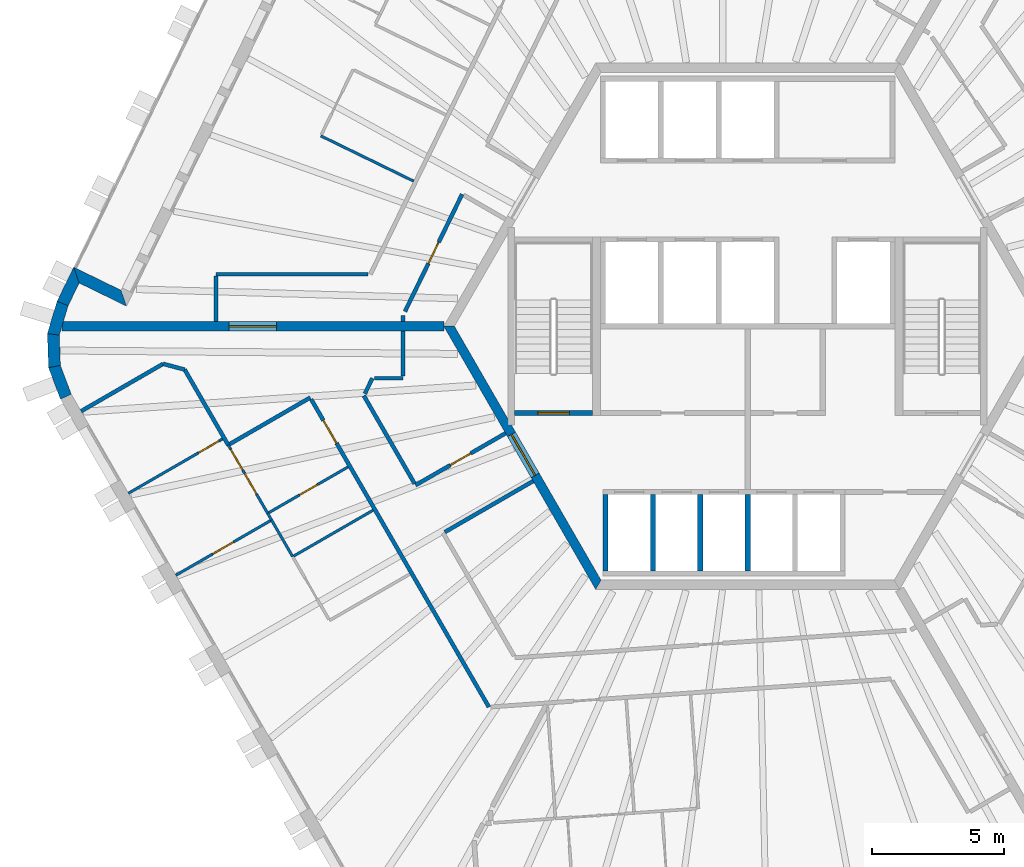
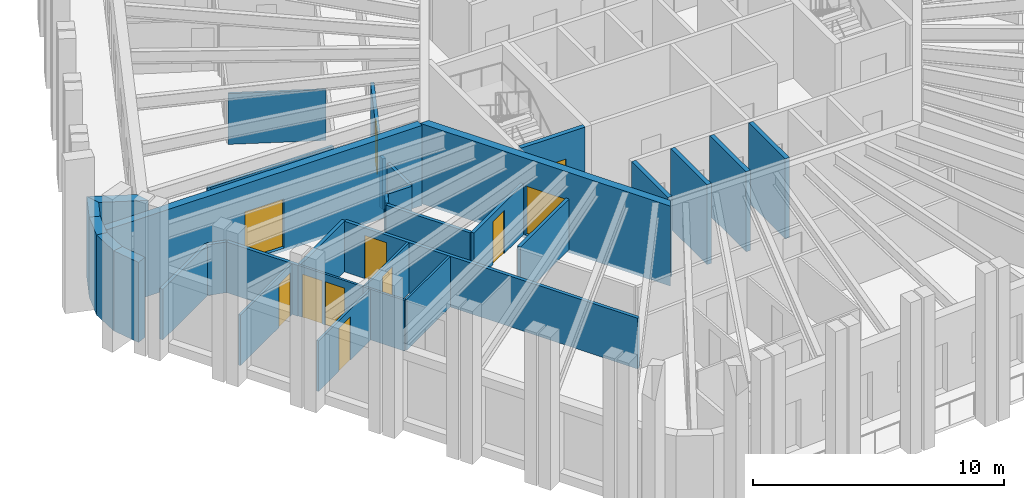
# One storey, part 4 of 12: 35 walls, 11 doors, 11 openings.
"""IFC4 building model written with IfcOpenShell, lengths in metres."""

from ifc_helpers import new_model, si_unit, direction, frame, frame_2d, origin, place, context, subcontext, project, spatial, polyline, rectangle, outline, extrude, material, layer, layer_set, type_object, element, fill, save


model = new_model("IFC4")

# Units and contexts
model_context = context("Model", 3, precision=1e-05, world=origin(), true_north=direction((0.0, 1.0)))
body_context = subcontext(model_context, "Body", "Model", "MODEL_VIEW")
ifc_project = project(units=[si_unit("LENGTHUNIT", "METRE"), si_unit("AREAUNIT", "SQUARE_METRE"), si_unit("VOLUMEUNIT", "CUBIC_METRE"), si_unit("PLANEANGLEUNIT", "RADIAN"), si_unit("MASSUNIT", "GRAM", prefix="KILO")], contexts=[model_context])

# Site, building, storey
site_placement = place(None, origin())
site = spatial("IfcSite", under=ifc_project, at=site_placement, CompositionType="ELEMENT")
building_placement = place(site_placement, origin())
building = spatial("IfcBuilding", under=site, at=building_placement, Name="Tarnside Tower", CompositionType="ELEMENT")
storey_placement = place(building_placement, frame((0.0, 0.0, 369.0)))
storey = spatial("IfcBuildingStorey", under=building, at=storey_placement, Name="L89", CompositionType="ELEMENT", Elevation=369.0)

# Wall
ifc_material_1 = material(Name="Gypsum board partition on steel studs", Category="steel")
ifc_layer_1 = layer(ifc_material_1, 0.10009765625)
ifc_layer_set_1 = layer_set([ifc_layer_1], Name="Bathroom wall 100")
wall_type_1 = type_object("IfcWallType", Name="Bathroom wall 100", PredefinedType="PARTITIONING", material=ifc_layer_set_1)
wall_1_placement = place(storey_placement, frame((-17.28857421875, -8.75537109375, 0.0), z_axis=(0.0, 0.0, 1.0), x_axis=(-0.499958946799, 0.866049104564, 0.0)))
element("IfcWall", 1, at=wall_1_placement, inside=storey, type_object=wall_type_1, Name="Bathroom wall 29107", PredefinedType="PARTITIONING", context=body_context, shape_type="SweptSolid", body=[
    extrude(rectangle(XDim=1.608642578125, YDim=0.10009765625, at=frame_2d((0.80419921875, 0.0))), origin(), (0.0, 0.0, 1.0), 2.469970703125),
])

# Wall, opening, door
wall_2_placement = place(storey_placement, frame((-18.238525390625, -7.10986328125, 0.0), z_axis=(0.0, 0.0, 1.0), x_axis=(0.866031034943, 0.499990246421, 0.0)))
wall_2 = element("IfcWall", 2, at=wall_2_placement, inside=storey, type_object=wall_type_1, Name="Bathroom wall 29116", PredefinedType="PARTITIONING", context=body_context, shape_type="SweptSolid", body=[
    extrude(rectangle(XDim=3.52490234375, YDim=0.10009765625, at=frame_2d((1.762451171875, 0.0))), origin(), (0.0, 0.0, 1.0), 2.469970703125),
])
opening_1_placement = place(wall_2_placement, frame((1.39990234375, 0.0, 0.0)))
opening_1 = element("IfcOpeningElement", 3, at=opening_1_placement, cuts=wall_2, Name="Opening D-B1", PredefinedType="OPENING", context=body_context, shape_type="SweptSolid", body=[
    extrude(rectangle(XDim=0.800048828125, YDim=2.10009765625, at=frame_2d((0.39990234375, 1.050048828125))), frame((0.0, 0.06005859375, 0.0), z_axis=(0.0, -1.0, 0.0), x_axis=(1.0, 0.0, 0.0)), (0.0, 0.0, 1.0), 0.1201171875),
])
ifc_material_2 = material(Name="Timber door leaf", Category="wood")
door_type_1 = type_object("IfcDoorType", Name="Bathroom door 800", OperationType="NOTDEFINED", PredefinedType="DOOR", material=ifc_material_2)
door_1_placement = place(opening_1_placement, origin())
door_1 = element("IfcDoor", 4, at=door_1_placement, inside=storey, type_object=door_type_1, Name="Bathroom door 29022", OperationType="SINGLE_SWING_LEFT", OverallHeight=2.10009765625, OverallWidth=0.800048828125, PredefinedType="DOOR", context=body_context, shape_type="SweptSolid", body=[
    extrude(rectangle(XDim=0.800048828125, YDim=2.10009765625, at=frame_2d((0.39990234375, 1.050048828125))), frame((0.0, 0.02490234375, 0.0), z_axis=(0.0, -1.0, 0.0), x_axis=(1.0, 0.0, 0.0)), (0.0, 0.0, 1.0), 0.050048828125),
])
fill(opening_1, door_1)

# Walls
wall_3_placement = place(storey_placement, frame((-18.239501953125, -7.108154296875, 0.0), z_axis=(0.0, 0.0, 1.0), x_axis=(0.499960902066, -0.86604797581, 0.0)))
element("IfcWall", 5, at=wall_3_placement, inside=storey, type_object=wall_type_1, Name="Bathroom wall 29118", PredefinedType="PARTITIONING", context=body_context, shape_type="SweptSolid", body=[
    extrude(rectangle(XDim=0.29541015625, YDim=0.10009765625, at=frame_2d((0.147705078125, 0.0))), origin(), (0.0, 0.0, 1.0), 2.469970703125),
])
wall_4_placement = place(storey_placement, frame((-17.245361328125, -8.730224609375, 0.0), z_axis=(0.0, 0.0, 1.0), x_axis=(0.866055725969, 0.499947476758, 0.0)))
element("IfcWall", 6, at=wall_4_placement, inside=storey, type_object=wall_type_1, Name="Bathroom wall 29119", PredefinedType="PARTITIONING", context=body_context, shape_type="SweptSolid", body=[
    extrude(rectangle(XDim=3.474853515625, YDim=0.10009765625, at=frame_2d((1.7373046875, 0.0))), origin(), (0.0, 0.0, 1.0), 2.469970703125),
])

# Wall, opening, door
ifc_material_3 = material(Name="Concrete C50/60", Category="concrete")
ifc_layer_2 = layer(ifc_material_3, 0.35009765625)
ifc_layer_set_2 = layer_set([ifc_layer_2], Name="Core wall Z4 350 C50/60")
wall_type_2 = type_object("IfcWallType", Name="Core wall Z4 350 C50/60", PredefinedType="SHEAR", material=ifc_layer_set_2)
wall_5_placement = place(storey_placement, frame((-11.344970703125, 0.0, -0.14990234375), z_axis=(0.0, 0.0, 1.0), x_axis=(0.499995046907, -0.866028263435, 0.0)))
wall_5 = element("IfcWall", 7, at=wall_5_placement, inside=storey, type_object=wall_type_2, Name="L89 core wall face 3", PredefinedType="SHEAR", context=body_context, shape_type="SweptSolid", body=[
    extrude(outline(polyline([(-0.10107421875, -0.175048828125), (11.44580078125, -0.175048828125), (11.24365234375, 0.175048828125), (0.10107421875, 0.175048828125), (-0.10107421875, -0.175048828125)])), origin(), (0.0, 0.0, 1.0), 3.89990234375),
])
opening_2_placement = place(wall_5_placement, frame((4.74365234375, 0.0, 0.14990234375)))
opening_2 = element("IfcOpeningElement", 8, at=opening_2_placement, cuts=wall_5, Name="Opening CD-FFL", PredefinedType="OPENING", context=body_context, shape_type="SweptSolid", body=[
    extrude(rectangle(XDim=1.800048828125, YDim=2.39990234375, at=frame_2d((0.89990234375, 1.199951171875))), frame((0.0, 0.18505859375, 0.0), z_axis=(0.0, -1.0, 0.0), x_axis=(1.0, 0.0, 0.0)), (0.0, 0.0, 1.0), 0.3701171875),
])
ifc_material_4 = material(Name="Steel fire door", Category="steel")
door_type_2 = type_object("IfcDoorType", Name="Firefighting lobby double door FD60S 1800x2400", OperationType="NOTDEFINED", PredefinedType="DOOR", material=ifc_material_4)
door_2_placement = place(opening_2_placement, origin())
door_2 = element("IfcDoor", 9, at=door_2_placement, inside=storey, type_object=door_type_2, Name="L89 core door P3", OperationType="DOUBLE_DOOR_SINGLE_SWING", OverallHeight=2.39990234375, OverallWidth=1.800048828125, PredefinedType="DOOR", context=body_context, shape_type="SweptSolid", body=[
    extrude(rectangle(XDim=1.800048828125, YDim=2.39990234375, at=frame_2d((0.89990234375, 1.199951171875))), frame((0.0, 0.02490234375, 0.0), z_axis=(0.0, -1.0, 0.0), x_axis=(1.0, 0.0, 0.0)), (0.0, 0.0, 1.0), 0.050048828125),
])
fill(opening_2, door_2)

wall_6_placement = place(storey_placement, frame((-11.547119140625, 0.0, -0.14990234375), z_axis=(0.0, 0.0, 1.0), x_axis=(-1.0, 0.0, 0.0)))
wall_6 = element("IfcWall", 10, at=wall_6_placement, inside=storey, type_object=wall_type_2, Name="L89 spine wall 2", PredefinedType="SHEAR", context=body_context, shape_type="SweptSolid", body=[
    extrude(rectangle(XDim=14.510498046875, YDim=0.35009765625, at=frame_2d((7.25537109375, 0.0))), origin(), (0.0, 0.0, 1.0), 3.89990234375),
])
opening_3_placement = place(wall_6_placement, frame((6.355224609375, 0.0, 0.14990234375)))
opening_3 = element("IfcOpeningElement", 11, at=opening_3_placement, cuts=wall_6, Name="Opening CD-SPN", PredefinedType="OPENING", context=body_context, shape_type="SweptSolid", body=[
    extrude(rectangle(XDim=1.800048828125, YDim=2.39990234375, at=frame_2d((0.89990234375, 1.199951171875))), frame((0.0, 0.18505859375, 0.0), z_axis=(0.0, -1.0, 0.0), x_axis=(1.0, 0.0, 0.0)), (0.0, 0.0, 1.0), 0.3701171875),
])
door_type_3 = type_object("IfcDoorType", Name="Spine passage double door FD60 1800x2400", OperationType="NOTDEFINED", PredefinedType="DOOR", material=ifc_material_4)
door_3_placement = place(opening_3_placement, origin())
door_3 = element("IfcDoor", 12, at=door_3_placement, inside=storey, type_object=door_type_3, Name="L89 spine passage door 2", OperationType="DOUBLE_DOOR_SINGLE_SWING", OverallHeight=2.39990234375, OverallWidth=1.800048828125, PredefinedType="DOOR", context=body_context, shape_type="SweptSolid", body=[
    extrude(rectangle(XDim=1.800048828125, YDim=2.39990234375, at=frame_2d((0.89990234375, 1.199951171875))), frame((0.0, 0.02490234375, 0.0), z_axis=(0.0, -1.0, 0.0), x_axis=(1.0, 0.0, 0.0)), (0.0, 0.0, 1.0), 0.050048828125),
])
fill(opening_3, door_3)

# Walls
ifc_layer_3 = layer(ifc_material_1, 0.14990234375)
ifc_layer_set_3 = layer_set([ifc_layer_3], Name="Corridor wall 150 EI 60")
wall_type_3 = type_object("IfcWallType", Name="Corridor wall 150 EI 60", PredefinedType="PARTITIONING", material=ifc_layer_set_3)
wall_7_placement = place(storey_placement, frame((-14.41845703125, 1.97509765625, 0.0), z_axis=(0.0, 0.0, 1.0), x_axis=(-1.0, 0.0, 0.0)))
element("IfcWall", 13, at=wall_7_placement, inside=storey, type_object=wall_type_3, Name="Corridor wall 29012", PredefinedType="PARTITIONING", context=body_context, shape_type="SweptSolid", body=[
    extrude(rectangle(XDim=5.783935546875, YDim=0.14990234375, at=frame_2d((2.89208984375, 0.0))), origin(), (0.0, 0.0, 1.0), 2.469970703125),
])
wall_8_placement = place(storey_placement, frame((-20.202392578125, 1.89990234375, 0.0), z_axis=(0.0, 0.0, 1.0), x_axis=(0.0, -1.0, 0.0)))
element("IfcWall", 14, at=wall_8_placement, inside=storey, type_object=wall_type_3, Name="Corridor wall 29013", PredefinedType="PARTITIONING", context=body_context, shape_type="SweptSolid", body=[
    extrude(rectangle(XDim=1.724853515625, YDim=0.14990234375, at=frame_2d((0.8623046875, 0.0))), origin(), (0.0, 0.0, 1.0), 2.469970703125),
])
wall_9_placement = place(storey_placement, frame((-13.095703125, 0.175048828125, 0.0), z_axis=(0.0, 0.0, 1.0), x_axis=(0.0, 1.0, 0.0)))
element("IfcWall", 15, at=wall_9_placement, inside=storey, type_object=wall_type_3, Name="Corridor wall 29024", PredefinedType="PARTITIONING", context=body_context, shape_type="SweptSolid", body=[
    extrude(rectangle(XDim=0.235107421875, YDim=0.14990234375, at=frame_2d((0.11767578125, 0.0))), origin(), (0.0, 0.0, 1.0), 2.469970703125),
])

# Wall, opening, door
wall_10_placement = place(storey_placement, frame((-13.0205078125, 0.563720703125, 0.0), z_axis=(0.0, 0.0, 1.0), x_axis=(0.438343062662, 0.8988077433, 0.0)))
wall_10 = element("IfcWall", 16, at=wall_10_placement, inside=storey, type_object=wall_type_3, Name="Corridor wall 29025", PredefinedType="PARTITIONING", context=body_context, shape_type="SweptSolid", body=[
    extrude(rectangle(XDim=4.955322265625, YDim=0.14990234375, at=frame_2d((2.4775390625, 0.0))), origin(), (0.0, 0.0, 1.0), 2.469970703125),
])
opening_4_placement = place(wall_10_placement, frame((2.027587890625, 0.0, 0.0)))
opening_4 = element("IfcOpeningElement", 17, at=opening_4_placement, cuts=wall_10, Name="Opening D-S1", PredefinedType="OPENING", context=body_context, shape_type="SweptSolid", body=[
    extrude(rectangle(XDim=0.89990234375, YDim=2.10009765625, at=frame_2d((0.449951171875, 1.050048828125))), frame((0.0, 0.0849609375, 0.0), z_axis=(0.0, -1.0, 0.0), x_axis=(1.0, 0.0, 0.0)), (0.0, 0.0, 1.0), 0.169921875),
])
door_type_4 = type_object("IfcDoorType", Name="Service room door 900 FD30S", OperationType="NOTDEFINED", PredefinedType="DOOR", material=ifc_material_2)
door_4_placement = place(opening_4_placement, origin())
door_4 = element("IfcDoor", 18, at=door_4_placement, inside=storey, type_object=door_type_4, Name="Service door 29058", OperationType="SINGLE_SWING_LEFT", OverallHeight=2.10009765625, OverallWidth=0.89990234375, PredefinedType="DOOR", context=body_context, shape_type="SweptSolid", body=[
    extrude(rectangle(XDim=0.89990234375, YDim=2.10009765625, at=frame_2d((0.449951171875, 1.050048828125))), frame((0.0, 0.02490234375, 0.0), z_axis=(0.0, -1.0, 0.0), x_axis=(1.0, 0.0, 0.0)), (0.0, 0.0, 1.0), 0.050048828125),
])
fill(opening_4, door_4)

wall_11_placement = place(storey_placement, frame((-16.58349609375, -2.776611328125, 0.0), z_axis=(0.0, 0.0, 1.0), x_axis=(0.50000467473, -0.866022704811, 0.0)))
wall_11 = element("IfcWall", 19, at=wall_11_placement, inside=storey, type_object=wall_type_3, Name="Corridor wall 29027", PredefinedType="PARTITIONING", context=body_context, shape_type="SweptSolid", body=[
    extrude(rectangle(XDim=13.503662109375, YDim=0.14990234375, at=frame_2d((6.751953125, 0.0))), origin(), (0.0, 0.0, 1.0), 2.469970703125),
])
opening_5_placement = place(wall_11_placement, frame((0.925048828125, 0.0, 0.0)))
opening_5 = element("IfcOpeningElement", 20, at=opening_5_placement, cuts=wall_11, Name="Opening D-E1", PredefinedType="OPENING", context=body_context, shape_type="SweptSolid", body=[
    extrude(rectangle(XDim=1.0, YDim=2.10009765625, at=frame_2d((0.5, 1.050048828125))), frame((0.0, 0.0849609375, 0.0), z_axis=(0.0, -1.0, 0.0), x_axis=(1.0, 0.0, 0.0)), (0.0, 0.0, 1.0), 0.169921875),
])
door_type_5 = type_object("IfcDoorType", Name="Unit entrance door 1000 FD30S", OperationType="NOTDEFINED", PredefinedType="DOOR", material=ifc_material_2)
door_5_placement = place(opening_5_placement, origin())
door_5 = element("IfcDoor", 21, at=door_5_placement, inside=storey, type_object=door_type_5, Name="Unit door 29021", OperationType="SINGLE_SWING_RIGHT", OverallHeight=2.10009765625, OverallWidth=1.0, PredefinedType="DOOR", context=body_context, shape_type="SweptSolid", body=[
    extrude(rectangle(XDim=1.0, YDim=2.10009765625, at=frame_2d((0.5, 1.050048828125))), frame((0.0, 0.02490234375, 0.0), z_axis=(0.0, -1.0, 0.0), x_axis=(1.0, 0.0, 0.0)), (0.0, 0.0, 1.0), 0.050048828125),
])
fill(opening_5, door_5)

# Walls
wall_12_placement = place(storey_placement, frame((-19.738525390625, -4.51171875, 0.0), z_axis=(0.0, 0.0, 1.0), x_axis=(0.866018442252, 0.500012057535, 0.0)))
element("IfcWall", 22, at=wall_12_placement, inside=storey, type_object=wall_type_3, Name="Corridor wall 29029", PredefinedType="PARTITIONING", context=body_context, shape_type="SweptSolid", body=[
    extrude(rectangle(XDim=3.60009765625, YDim=0.14990234375, at=frame_2d((1.800048828125, 0.0))), origin(), (0.0, 0.0, 1.0), 2.469970703125),
])
wall_13_placement = place(storey_placement, frame((-25.3291015625, -3.228759765625, 0.0), z_axis=(0.0, 0.0, 1.0), x_axis=(0.866030854095, 0.499990559667, 0.0)))
element("IfcWall", 23, at=wall_13_placement, inside=storey, type_object=wall_type_3, Name="Corridor wall 29032", PredefinedType="PARTITIONING", context=body_context, shape_type="SweptSolid", body=[
    extrude(rectangle(XDim=3.599609375, YDim=0.14990234375, at=frame_2d((1.7998046875, 0.0))), origin(), (0.0, 0.0, 1.0), 2.469970703125),
])
wall_14_placement = place(storey_placement, frame((-22.210693359375, -1.428955078125, 0.0), z_axis=(0.0, 0.0, 1.0), x_axis=(0.965937762102, -0.258774495933, 0.0)))
element("IfcWall", 24, at=wall_14_placement, inside=storey, type_object=wall_type_3, Name="Corridor wall 29033", PredefinedType="PARTITIONING", context=body_context, shape_type="SweptSolid", body=[
    extrude(rectangle(XDim=0.84716796875, YDim=0.14990234375, at=frame_2d((0.423583984375, 0.0))), origin(), (0.0, 0.0, 1.0), 2.469970703125),
])
wall_15_placement = place(storey_placement, frame((-21.391845703125, -1.6484375, 0.0), z_axis=(0.0, 0.0, 1.0), x_axis=(0.500018282537, -0.866014848099, 0.0)))
element("IfcWall", 25, at=wall_15_placement, inside=storey, type_object=wall_type_3, Name="Corridor wall 29034", PredefinedType="PARTITIONING", context=body_context, shape_type="SweptSolid", body=[
    extrude(rectangle(XDim=3.31005859375, YDim=0.14990234375, at=frame_2d((1.655029296875, 0.0))), origin(), (0.0, 0.0, 1.0), 2.469970703125),
])

# Wall, opening, door
wall_16_placement = place(storey_placement, frame((-9.19970703125, -4.065673828125, 0.0), z_axis=(0.0, 0.0, 1.0), x_axis=(-0.866020906874, -0.500007788796, 0.0)))
wall_16 = element("IfcWall", 26, at=wall_16_placement, inside=storey, type_object=wall_type_3, Name="Corridor wall 29042", PredefinedType="PARTITIONING", context=body_context, shape_type="SweptSolid", body=[
    extrude(rectangle(XDim=3.9501953125, YDim=0.14990234375, at=frame_2d((1.97509765625, 0.0))), origin(), (0.0, 0.0, 1.0), 2.469970703125),
])
opening_6_placement = place(wall_16_placement, frame((1.52490234375, 0.0, 0.0)))
opening_6 = element("IfcOpeningElement", 27, at=opening_6_placement, cuts=wall_16, Name="Opening D-S1", PredefinedType="OPENING", context=body_context, shape_type="SweptSolid", body=[
    extrude(rectangle(XDim=0.89990234375, YDim=2.10009765625, at=frame_2d((0.449951171875, 1.050048828125))), frame((0.0, 0.0849609375, 0.0), z_axis=(0.0, -1.0, 0.0), x_axis=(1.0, 0.0, 0.0)), (0.0, 0.0, 1.0), 0.169921875),
])
door_6_placement = place(opening_6_placement, origin())
door_6 = element("IfcDoor", 28, at=door_6_placement, inside=storey, type_object=door_type_4, Name="Service door 29059", OperationType="SINGLE_SWING_LEFT", OverallHeight=2.10009765625, OverallWidth=0.89990234375, PredefinedType="DOOR", context=body_context, shape_type="SweptSolid", body=[
    extrude(rectangle(XDim=0.89990234375, YDim=2.10009765625, at=frame_2d((0.449951171875, 1.050048828125))), frame((0.0, 0.02490234375, 0.0), z_axis=(0.0, -1.0, 0.0), x_axis=(1.0, 0.0, 0.0)), (0.0, 0.0, 1.0), 0.050048828125),
])
fill(opening_6, door_6)

# Walls
wall_17_placement = place(storey_placement, frame((-12.657958984375, -5.975830078125, 0.0), z_axis=(0.0, 0.0, 1.0), x_axis=(-0.499991345342, 0.866030400496, 0.0)))
element("IfcWall", 29, at=wall_17_placement, inside=storey, type_object=wall_type_3, Name="Corridor wall 29043", PredefinedType="PARTITIONING", context=body_context, shape_type="SweptSolid", body=[
    extrude(rectangle(XDim=3.85107421875, YDim=0.14990234375, at=frame_2d((1.925537109375, 0.0))), origin(), (0.0, 0.0, 1.0), 2.469970703125),
])
wall_18_placement = place(storey_placement, frame((-14.5439453125, -2.559326171875, 0.0), z_axis=(0.0, 0.0, 1.0), x_axis=(0.438630789999, 0.898667363414, 0.0)))
element("IfcWall", 30, at=wall_18_placement, inside=storey, type_object=wall_type_3, Name="Corridor wall 29044", PredefinedType="PARTITIONING", context=body_context, shape_type="SweptSolid", body=[
    extrude(rectangle(XDim=0.650146484375, YDim=0.14990234375, at=frame_2d((0.3251953125, 0.0))), origin(), (0.0, 0.0, 1.0), 2.469970703125),
])
wall_19_placement = place(storey_placement, frame((-14.175537109375, -1.97509765625, 0.0), z_axis=(0.0, 0.0, 1.0), x_axis=(1.0, 0.0, 0.0)))
element("IfcWall", 31, at=wall_19_placement, inside=storey, type_object=wall_type_3, Name="Corridor wall 29045", PredefinedType="PARTITIONING", context=body_context, shape_type="SweptSolid", body=[
    extrude(rectangle(XDim=1.079833984375, YDim=0.14990234375, at=frame_2d((0.5400390625, 0.0))), origin(), (0.0, 0.0, 1.0), 2.469970703125),
])
wall_20_placement = place(storey_placement, frame((-13.095703125, -1.89990234375, 0.0), z_axis=(0.0, 0.0, 1.0), x_axis=(0.0, 1.0, 0.0)))
element("IfcWall", 32, at=wall_20_placement, inside=storey, type_object=wall_type_3, Name="Corridor wall 29046", PredefinedType="PARTITIONING", context=body_context, shape_type="SweptSolid", body=[
    extrude(rectangle(XDim=1.724853515625, YDim=0.14990234375, at=frame_2d((0.8623046875, 0.0))), origin(), (0.0, 0.0, 1.0), 2.469970703125),
])
wall_21_placement = place(storey_placement, frame((-11.505615234375, -7.82177734375, 0.0), z_axis=(0.0, 0.0, 1.0), x_axis=(0.866032409438, 0.499987865656, 0.0)))
element("IfcWall", 33, at=wall_21_placement, inside=storey, type_object=wall_type_3, Name="Corridor wall 29050", PredefinedType="PARTITIONING", context=body_context, shape_type="SweptSolid", body=[
    extrude(rectangle(XDim=3.875, YDim=0.14990234375, at=frame_2d((1.9375, 0.0))), origin(), (0.0, 0.0, 1.0), 2.469970703125),
])
ifc_material_5 = material(Name="Concrete C40/50", Category="concrete")
ifc_layer_4 = layer(ifc_material_5, 0.199951171875)
ifc_layer_set_4 = layer_set([ifc_layer_4], Name="Lift shaft wall 200 C40/50")
wall_type_4 = type_object("IfcWallType", Name="Lift shaft wall 200 C40/50", PredefinedType="SHEAR", material=ifc_layer_set_4)
for number, where, z_axis, x_axis, name in (
    (34, (-5.39990234375, -9.300048828125, -0.25), (0.0, 0.0, 1.0), (0.0, 1.0, 0.0), "L89 lift shaft partition R41"),
    (35, (-3.60009765625, -9.300048828125, -0.25), (0.0, 0.0, 1.0), (0.0, 1.0, 0.0), "L89 lift shaft partition R42"),
    (36, (-1.800048828125, -9.300048828125, -0.25), (0.0, 0.0, 1.0), (0.0, 1.0, 0.0), "L89 lift shaft partition R43"),
    (37, (0.0, -9.300048828125, -0.25), (0.0, 0.0, 1.0), (0.0, 1.0, 0.0), "L89 lift shaft partition R44"),
):
    element("IfcWall", number, at=place(storey_placement, frame(where, z_axis=z_axis, x_axis=x_axis)), inside=storey, type_object=wall_type_4, Name=name, PredefinedType="SHEAR", context=body_context, shape_type="SweptSolid", body=[
        extrude(rectangle(XDim=2.900146484375, YDim=0.199951171875, at=frame_2d((1.4501953125, 0.0))), origin(), (0.0, 0.0, 1.0), 3.89990234375),
    ])

# Wall, opening, door
wall_22_placement = place(storey_placement, frame((-8.85009765625, -3.300048828125, -0.25), z_axis=(0.0, 0.0, 1.0), x_axis=(1.0, 0.0, 0.0)))
wall_22 = element("IfcWall", 38, at=wall_22_placement, inside=storey, type_object=wall_type_4, Name="L89 stair 2 enclosure cap wall s", PredefinedType="SHEAR", context=body_context, shape_type="SweptSolid", body=[
    extrude(rectangle(XDim=2.9501953125, YDim=0.199951171875, at=frame_2d((1.47509765625, 0.0))), origin(), (0.0, 0.0, 1.0), 3.89990234375),
])
opening_7_placement = place(wall_22_placement, frame((0.875, 0.0, 0.25)))
opening_7 = element("IfcOpeningElement", 39, at=opening_7_placement, cuts=wall_22, Name="Opening CD-STR", PredefinedType="OPENING", context=body_context, shape_type="SweptSolid", body=[
    extrude(rectangle(XDim=1.199951171875, YDim=2.39990234375, at=frame_2d((0.60009765625, 1.199951171875))), frame((0.0, 0.10986328125, 0.0), z_axis=(0.0, -1.0, 0.0), x_axis=(1.0, 0.0, 0.0)), (0.0, 0.0, 1.0), 0.219970703125),
])
door_type_6 = type_object("IfcDoorType", Name="Stair door FD60S 1200x2400", OperationType="NOTDEFINED", PredefinedType="DOOR", material=ifc_material_4)
door_7_placement = place(opening_7_placement, origin())
door_7 = element("IfcDoor", 40, at=door_7_placement, inside=storey, type_object=door_type_6, Name="L89 stair 2 door", OperationType="SINGLE_SWING_LEFT", OverallHeight=2.39990234375, OverallWidth=1.199951171875, PredefinedType="DOOR", context=body_context, shape_type="SweptSolid", body=[
    extrude(rectangle(XDim=1.199951171875, YDim=2.39990234375, at=frame_2d((0.60009765625, 1.199951171875))), frame((0.0, 0.02490234375, 0.0), z_axis=(0.0, -1.0, 0.0), x_axis=(1.0, 0.0, 0.0)), (0.0, 0.0, 1.0), 0.050048828125),
])
fill(opening_7, door_7)

# Walls
ifc_material_6 = material(Name="Dark zinc cladding")
ifc_layer_5 = layer(ifc_material_6, 0.10205078125)
ifc_material_7 = material(Name="Concrete C60/75 precast", Category="concrete")
ifc_layer_6 = layer(ifc_material_7, 0.248046875)
ifc_material_8 = material(Name="Mineral wool insulation")
ifc_layer_7 = layer(ifc_material_8, 0.10009765625)
ifc_layer_set_5 = layer_set([ifc_layer_5, ifc_layer_6, ifc_layer_7], Name="Loggia wall 450 zinc faced")
wall_type_5 = type_object("IfcWallType", Name="Loggia wall 450 zinc faced", PredefinedType="SOLIDWALL", material=ifc_layer_set_5)
wall_23_placement = place(storey_placement, frame((-23.70703125, 1.066162109375, -0.14990234375), z_axis=(0.0, 0.0, 1.0), x_axis=(-0.898779005228, 0.438401984213, 0.0)))
element("IfcWall", 41, at=wall_23_placement, inside=storey, type_object=wall_type_5, Name="Tube wall L89 F2 return 07", PredefinedType="SOLIDWALL", context=body_context, shape_type="SweptSolid", body=[
    extrude(outline(polyline([(0.224853515625, -0.22509765625), (2.224609375, -0.22509765625), (1.77490234375, 0.22509765625), (-0.224853515625, 0.22509765625), (0.224853515625, -0.22509765625)])), origin(), (0.0, 0.0, 1.0), 3.89990234375),
])
wall_24_placement = place(storey_placement, frame((-25.50439453125, 1.94287109375, -0.14990234375), z_axis=(0.0, 0.0, 1.0), x_axis=(-0.43840359141, -0.898778221275, 0.0)))
element("IfcWall", 42, at=wall_24_placement, inside=storey, type_object=wall_type_5, Name="Tube wall L89 F2 stub 08", PredefinedType="SOLIDWALL", context=body_context, shape_type="SweptSolid", body=[
    extrude(outline(polyline([(-0.224853515625, -0.22509765625), (1.218505859375, -0.22509765625), (1.181884765625, 0.22509765625), (0.224853515625, 0.22509765625), (-0.224853515625, -0.22509765625)])), origin(), (0.0, 0.0, 1.0), 3.89990234375),
])
ifc_layer_8 = layer(ifc_material_1, 0.10009765625)
ifc_layer_set_6 = layer_set([ifc_layer_8], Name="Partition 100")
wall_type_6 = type_object("IfcWallType", Name="Partition 100", PredefinedType="PARTITIONING", material=ifc_layer_set_6)
wall_25_placement = place(storey_placement, frame((-12.6923828125, 5.513916015625, 0.0), z_axis=(0.0, 0.0, 1.0), x_axis=(-0.898787574002, 0.438384416717, 0.0)))
element("IfcWall", 43, at=wall_25_placement, inside=storey, type_object=wall_type_6, Name="Partition wall 29097", PredefinedType="PARTITIONING", context=body_context, shape_type="SweptSolid", body=[
    extrude(rectangle(XDim=3.925048828125, YDim=0.10009765625, at=frame_2d((1.96240234375, 0.0))), origin(), (0.0, 0.0, 1.0), 2.469970703125),
])

# Wall, opening, door
wall_26_placement = place(storey_placement, frame((-18.135009765625, -7.38916015625, 0.0), z_axis=(0.0, 0.0, 1.0), x_axis=(-0.86602981871, -0.499992353047, 0.0)))
wall_26 = element("IfcWall", 44, at=wall_26_placement, inside=storey, type_object=wall_type_6, Name="Partition wall 29108", PredefinedType="PARTITIONING", context=body_context, shape_type="SweptSolid", body=[
    extrude(rectangle(XDim=4.14990234375, YDim=0.10009765625, at=frame_2d((2.074951171875, 0.0))), origin(), (0.0, 0.0, 1.0), 2.469970703125),
])
opening_8_placement = place(wall_26_placement, frame((1.625, 0.0, 0.0)))
opening_8 = element("IfcOpeningElement", 45, at=opening_8_placement, cuts=wall_26, Name="Opening D-I1", PredefinedType="OPENING", context=body_context, shape_type="SweptSolid", body=[
    extrude(rectangle(XDim=0.89990234375, YDim=2.10009765625, at=frame_2d((0.449951171875, 1.050048828125))), frame((0.0, 0.06005859375, 0.0), z_axis=(0.0, -1.0, 0.0), x_axis=(1.0, 0.0, 0.0)), (0.0, 0.0, 1.0), 0.1201171875),
])
door_type_7 = type_object("IfcDoorType", Name="Internal door 900", OperationType="NOTDEFINED", PredefinedType="DOOR", material=ifc_material_2)
door_8_placement = place(opening_8_placement, origin())
door_8 = element("IfcDoor", 46, at=door_8_placement, inside=storey, type_object=door_type_7, Name="Internal door 29055", OperationType="SINGLE_SWING_RIGHT", OverallHeight=2.10009765625, OverallWidth=0.89990234375, PredefinedType="DOOR", context=body_context, shape_type="SweptSolid", body=[
    extrude(rectangle(XDim=0.89990234375, YDim=2.10009765625, at=frame_2d((0.449951171875, 1.050048828125))), frame((0.0, 0.02490234375, 0.0), z_axis=(0.0, -1.0, 0.0), x_axis=(1.0, 0.0, 0.0)), (0.0, 0.0, 1.0), 0.050048828125),
])
fill(opening_8, door_8)

# Wall, openings, doors
wall_27_placement = place(storey_placement, frame((-19.739501953125, -4.510009765625, 0.0), z_axis=(0.0, 0.0, 1.0), x_axis=(0.499985098601, -0.86603400694, 0.0)))
wall_27 = element("IfcWall", 47, at=wall_27_placement, inside=storey, type_object=wall_type_6, Name="Partition wall 29117", PredefinedType="PARTITIONING", context=body_context, shape_type="SweptSolid", body=[
    extrude(rectangle(XDim=3.00390625, YDim=0.10009765625, at=frame_2d((1.501953125, 0.0))), origin(), (0.0, 0.0, 1.0), 2.469970703125),
])
opening_9_placement = place(wall_27_placement, frame((0.199951171875, 0.0, 0.0)))
opening_9 = element("IfcOpeningElement", 48, at=opening_9_placement, cuts=wall_27, Name="Opening D-I1", PredefinedType="OPENING", context=body_context, shape_type="SweptSolid", body=[
    extrude(rectangle(XDim=0.89990234375, YDim=2.10009765625, at=frame_2d((0.449951171875, 1.050048828125))), frame((0.0, 0.06005859375, 0.0), z_axis=(0.0, -1.0, 0.0), x_axis=(1.0, 0.0, 0.0)), (0.0, 0.0, 1.0), 0.1201171875),
])
opening_10_placement = place(wall_27_placement, frame((1.251953125, 0.0, 0.0)))
opening_10 = element("IfcOpeningElement", 49, at=opening_10_placement, cuts=wall_27, Name="Opening D-I1", PredefinedType="OPENING", context=body_context, shape_type="SweptSolid", body=[
    extrude(rectangle(XDim=0.89990234375, YDim=2.10009765625, at=frame_2d((0.449951171875, 1.050048828125))), frame((0.0, 0.06005859375, 0.0), z_axis=(0.0, -1.0, 0.0), x_axis=(1.0, 0.0, 0.0)), (0.0, 0.0, 1.0), 0.1201171875),
])
door_9_placement = place(opening_9_placement, origin())
door_9 = element("IfcDoor", 50, at=door_9_placement, inside=storey, type_object=door_type_7, Name="Internal door 29025", OperationType="SINGLE_SWING_LEFT", OverallHeight=2.10009765625, OverallWidth=0.89990234375, PredefinedType="DOOR", context=body_context, shape_type="SweptSolid", body=[
    extrude(rectangle(XDim=0.89990234375, YDim=2.10009765625, at=frame_2d((0.449951171875, 1.050048828125))), frame((0.0, 0.02490234375, 0.0), z_axis=(0.0, -1.0, 0.0), x_axis=(1.0, 0.0, 0.0)), (0.0, 0.0, 1.0), 0.050048828125),
])
fill(opening_9, door_9)
door_10_placement = place(opening_10_placement, origin())
door_10 = element("IfcDoor", 51, at=door_10_placement, inside=storey, type_object=door_type_7, Name="Internal door 29029", OperationType="SINGLE_SWING_LEFT", OverallHeight=2.10009765625, OverallWidth=0.89990234375, PredefinedType="DOOR", context=body_context, shape_type="SweptSolid", body=[
    extrude(rectangle(XDim=0.89990234375, YDim=2.10009765625, at=frame_2d((0.449951171875, 1.050048828125))), frame((0.0, 0.02490234375, 0.0), z_axis=(0.0, -1.0, 0.0), x_axis=(1.0, 0.0, 0.0)), (0.0, 0.0, 1.0), 0.050048828125),
])
fill(opening_10, door_10)

# Wall, opening, door
wall_28_placement = place(storey_placement, frame((-23.529052734375, -6.346435546875, 0.0), z_axis=(0.0, 0.0, 1.0), x_axis=(0.866019999656, 0.500009360108, 0.0)))
wall_28 = element("IfcWall", 52, at=wall_28_placement, inside=storey, type_object=wall_type_6, Name="Partition wall 29120", PredefinedType="PARTITIONING", context=body_context, shape_type="SweptSolid", body=[
    extrude(rectangle(XDim=4.125, YDim=0.10009765625, at=frame_2d((2.0625, 0.0))), origin(), (0.0, 0.0, 1.0), 2.469970703125),
])
opening_11_placement = place(wall_28_placement, frame((3.074951171875, 0.0, 0.0)))
opening_11 = element("IfcOpeningElement", 53, at=opening_11_placement, cuts=wall_28, Name="Opening D-I1", PredefinedType="OPENING", context=body_context, shape_type="SweptSolid", body=[
    extrude(rectangle(XDim=0.89990234375, YDim=2.10009765625, at=frame_2d((0.449951171875, 1.050048828125))), frame((0.0, 0.06005859375, 0.0), z_axis=(0.0, -1.0, 0.0), x_axis=(1.0, 0.0, 0.0)), (0.0, 0.0, 1.0), 0.1201171875),
])
door_11_placement = place(opening_11_placement, origin())
door_11 = element("IfcDoor", 54, at=door_11_placement, inside=storey, type_object=door_type_7, Name="Internal door 29028", OperationType="SINGLE_SWING_RIGHT", OverallHeight=2.10009765625, OverallWidth=0.89990234375, PredefinedType="DOOR", context=body_context, shape_type="SweptSolid", body=[
    extrude(rectangle(XDim=0.89990234375, YDim=2.10009765625, at=frame_2d((0.449951171875, 1.050048828125))), frame((0.0, 0.02490234375, 0.0), z_axis=(0.0, -1.0, 0.0), x_axis=(1.0, 0.0, 0.0)), (0.0, 0.0, 1.0), 0.050048828125),
])
fill(opening_11, door_11)

# Walls
ifc_material_9 = material(Name="Facing brick", Category="masonry")
ifc_layer_9 = layer(ifc_material_9, 0.10205078125)
ifc_layer_10 = layer(ifc_material_7, 0.248046875)
ifc_layer_11 = layer(ifc_material_8, 0.10009765625)
ifc_layer_set_7 = layer_set([ifc_layer_9, ifc_layer_10, ifc_layer_11], Name="Tube wall 450 brick faced")
wall_type_7 = type_object("IfcWallType", Name="Tube wall 450 brick faced", PredefinedType="SOLIDWALL", material=ifc_layer_set_7)
wall_29_placement = place(storey_placement, frame((-26.030517578125, 0.8642578125, -0.14990234375), z_axis=(0.0, 0.0, 1.0), x_axis=(-0.286945389156, -0.957946941977, 0.0)))
element("IfcWall", 55, at=wall_29_placement, inside=storey, type_object=wall_type_7, Name="Tube wall L89 F2 chord 09", PredefinedType="SOLIDWALL", context=body_context, shape_type="SweptSolid", body=[
    extrude(outline(polyline([(-0.018310546875, -0.22509765625), (1.26123046875, -0.22509765625), (1.1875, 0.22509765625), (0.018310546875, 0.22509765625), (-0.018310546875, -0.22509765625)])), origin(), (0.0, 0.0, 1.0), 3.89990234375),
])
wall_30_placement = place(storey_placement, frame((-26.3818359375, -0.30859375, -0.14990234375), z_axis=(0.0, 0.0, 1.0), x_axis=(0.034887984255, -0.999391228976, 0.0)))
element("IfcWall", 56, at=wall_30_placement, inside=storey, type_object=wall_type_7, Name="Tube wall L89 F2 chord 10", PredefinedType="SOLIDWALL", context=body_context, shape_type="SweptSolid", body=[
    extrude(outline(polyline([(-0.036865234375, -0.22509765625), (1.261474609375, -0.22509765625), (1.187744140625, 0.22509765625), (0.036865234375, 0.22509765625), (-0.036865234375, -0.22509765625)])), origin(), (0.0, 0.0, 1.0), 3.89990234375),
])
wall_31_placement = place(storey_placement, frame((-26.339111328125, -1.532470703125, -0.14990234375), z_axis=(0.0, 0.0, 1.0), x_axis=(0.353132996235, -0.935573132882, 0.0)))
element("IfcWall", 57, at=wall_31_placement, inside=storey, type_object=wall_type_7, Name="Tube wall L89 F2 chord 11", PredefinedType="SOLIDWALL", context=body_context, shape_type="SweptSolid", body=[
    extrude(outline(polyline([(-0.036865234375, -0.22509765625), (1.24267578125, -0.22509765625), (1.2060546875, 0.22509765625), (0.036865234375, 0.22509765625), (-0.036865234375, -0.22509765625)])), origin(), (0.0, 0.0, 1.0), 3.89990234375),
])

save(model, "model.ifc")
